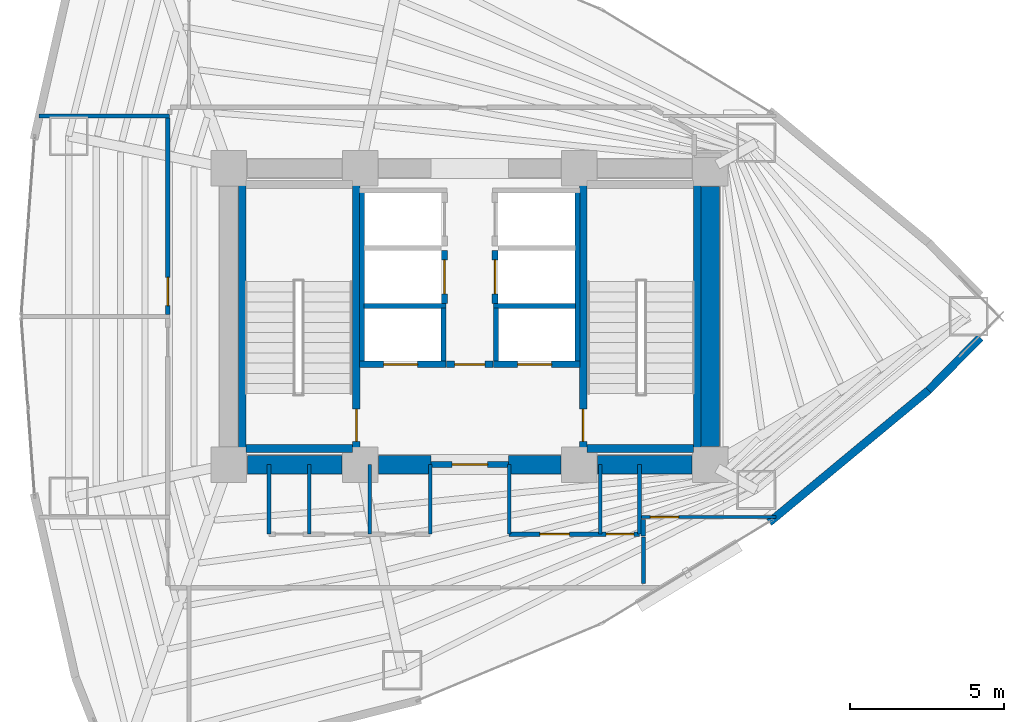
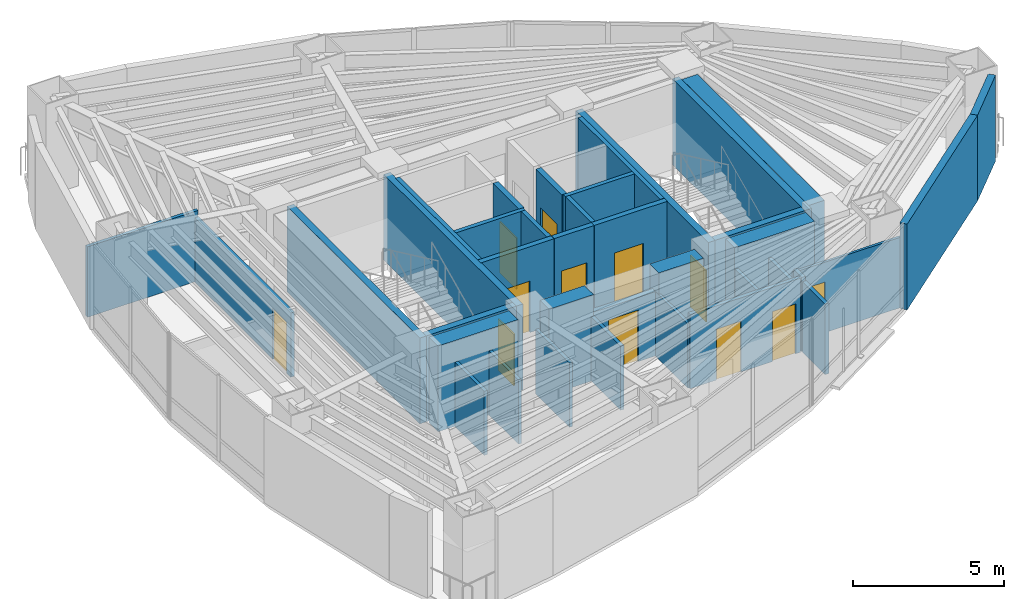
# One storey, part 13 of 16: 38 walls, 12 doors, 12 openings.
"""IFC4 building model written with IfcOpenShell, lengths in metres."""

from ifc_helpers import new_model, si_unit, direction, frame, frame_2d, origin, place, context, subcontext, project, spatial, rectangle, extrude, material, layer, layer_set, type_object, element, fill, save


model = new_model("IFC4")

# Units and contexts
model_context = context("Model", 3, precision=1e-05, world=origin(), true_north=direction((0.0, 1.0)))
body_context = subcontext(model_context, "Body", "Model", "MODEL_VIEW")
ifc_project = project(units=[si_unit("LENGTHUNIT", "METRE"), si_unit("AREAUNIT", "SQUARE_METRE"), si_unit("VOLUMEUNIT", "CUBIC_METRE"), si_unit("PLANEANGLEUNIT", "RADIAN"), si_unit("MASSUNIT", "GRAM", prefix="KILO")], contexts=[model_context])

# Site, building, storey
site_placement = place(None, origin())
site = spatial("IfcSite", under=ifc_project, at=site_placement, CompositionType="ELEMENT")
building_placement = place(site_placement, origin())
building = spatial("IfcBuilding", under=site, at=building_placement, Name="Menara Vayukalpa", CompositionType="ELEMENT")
storey_placement = place(building_placement, frame((0.0, 0.0, 75.9599609375)))
storey = spatial("IfcBuildingStorey", under=building, at=storey_placement, Name="L18", CompositionType="ELEMENT", Elevation=75.9599609375)

# Walls
ifc_material_1 = material(Name="Concrete C70/85", Category="concrete")
ifc_layer_1 = layer(ifc_material_1, 0.60009765625)
ifc_layer_set_1 = layer_set([ifc_layer_1], Name="Concrete C70/85")
wall_type_1 = type_object("IfcWallType", Name="WAL-CW600", PredefinedType="SHEAR", material=ifc_layer_set_1)
wall_1_placement = place(storey_placement, frame((18.39501953125, 17.199951171875, 0.0), z_axis=(0.0, 0.0, 1.0), x_axis=(1.0, 0.0, 0.0)))
element("IfcWall", 1, at=wall_1_placement, inside=storey, type_object=wall_type_1, Name="L18 Buttressed Core Shear Wall CWS1", PredefinedType="SHEAR", context=body_context, shape_type="SweptSolid", body=[
    extrude(rectangle(XDim=3.06005859375, YDim=0.60009765625, at=frame_2d((1.530029296875, 0.0))), origin(), (0.0, 0.0, 1.0), 3.469970703125),
])
wall_2_placement = place(storey_placement, frame((22.64501953125, 17.199951171875, 0.0), z_axis=(0.0, 0.0, 1.0), x_axis=(1.0, 0.0, 0.0)))
element("IfcWall", 2, at=wall_2_placement, inside=storey, type_object=wall_type_1, Name="L18 Buttressed Core Shear Wall CWS2", PredefinedType="SHEAR", context=body_context, shape_type="SweptSolid", body=[
    extrude(rectangle(XDim=1.705078125, YDim=0.60009765625, at=frame_2d((0.8525390625, 0.0))), origin(), (0.0, 0.0, 1.0), 3.469970703125),
])
wall_3_placement = place(storey_placement, frame((26.85009765625, 17.199951171875, 0.0), z_axis=(0.0, 0.0, 1.0), x_axis=(1.0, 0.0, 0.0)))
element("IfcWall", 3, at=wall_3_placement, inside=storey, type_object=wall_type_1, Name="L18 Buttressed Core Shear Wall CWS3", PredefinedType="SHEAR", context=body_context, shape_type="SweptSolid", body=[
    extrude(rectangle(XDim=1.704833984375, YDim=0.60009765625, at=frame_2d((0.8525390625, 0.0))), origin(), (0.0, 0.0, 1.0), 3.469970703125),
])
wall_4_placement = place(storey_placement, frame((29.7451171875, 17.199951171875, 0.0), z_axis=(0.0, 0.0, 1.0), x_axis=(1.0, 0.0, 0.0)))
element("IfcWall", 4, at=wall_4_placement, inside=storey, type_object=wall_type_1, Name="L18 Buttressed Core Shear Wall CWS4", PredefinedType="SHEAR", context=body_context, shape_type="SweptSolid", body=[
    extrude(rectangle(XDim=3.059814453125, YDim=0.60009765625, at=frame_2d((1.52978515625, 0.0))), origin(), (0.0, 0.0, 1.0), 3.469970703125),
])
wall_5_placement = place(storey_placement, frame((33.39990234375, 17.794921875, 0.0), z_axis=(0.0, 0.0, 1.0), x_axis=(0.0, 1.0, 0.0)))
element("IfcWall", 5, at=wall_5_placement, inside=storey, type_object=wall_type_1, Name="L18 Buttressed Core Shear Wall CWE1", PredefinedType="SHEAR", context=body_context, shape_type="SweptSolid", body=[
    extrude(rectangle(XDim=8.41015625, YDim=0.60009765625, at=frame_2d((4.205078125, 0.0))), origin(), (0.0, 0.0, 1.0), 3.469970703125),
])
ifc_material_2 = material(Name="Insulated Precast Concrete C40/50", Category="concrete")
ifc_layer_2 = layer(ifc_material_2, 0.260009765625)
ifc_layer_set_2 = layer_set([ifc_layer_2], Name="Insulated Precast Concrete C40/50")
wall_type_2 = type_object("IfcWallType", Name="WAL-EXT260", PredefinedType="PARTITIONING", material=ifc_layer_set_2)
wall_6_placement = place(storey_placement, frame((42.14111328125, 21.316650390625, 0.0), z_axis=(0.0, 0.0, 1.0), x_axis=(-0.700603293449, -0.713550996922, 0.0)))
element("IfcWall", 6, at=wall_6_placement, inside=storey, type_object=wall_type_2, Name="L18 Perimeter Terracotta Pier Wall 01", PredefinedType="PARTITIONING", context=body_context, shape_type="SweptSolid", body=[
    extrude(rectangle(XDim=2.394775390625, YDim=0.260009765625, at=frame_2d((1.197265625, 0.0))), origin(), (0.0, 0.0, 1.0), 3.469970703125),
])
wall_7_placement = place(storey_placement, frame((40.472412109375, 19.6162109375, 0.0), z_axis=(0.0, 0.0, 1.0), x_axis=(-0.76975316947, -0.638341646841, 0.0)))
element("IfcWall", 7, at=wall_7_placement, inside=storey, type_object=wall_type_2, Name="L18 Perimeter Terracotta Pier Wall 18", PredefinedType="PARTITIONING", context=body_context, shape_type="SweptSolid", body=[
    extrude(rectangle(XDim=6.718017578125, YDim=0.260009765625, at=frame_2d((3.35888671875, 0.0))), origin(), (0.0, 0.0, 1.0), 3.469970703125),
])
ifc_material_3 = material(Name="Lightweight Concrete Blockwork C16/20", Category="masonry")
ifc_layer_3 = layer(ifc_material_3, 0.159912109375)
ifc_layer_set_3 = layer_set([ifc_layer_3], Name="Lightweight Concrete Blockwork C16/20")
wall_type_3 = type_object("IfcWallType", Name="WAL-FR150", PredefinedType="PARTITIONING", material=ifc_layer_set_3)
wall_8_placement = place(storey_placement, frame((22.10498046875, 20.56005859375, 0.0), z_axis=(0.0, 0.0, 1.0), x_axis=(0.0, 1.0, 0.0)))
element("IfcWall", 8, at=wall_8_placement, inside=storey, type_object=wall_type_3, Name="L18 Interior Partition IW-L18-SHW-WW", PredefinedType="PARTITIONING", context=body_context, shape_type="SweptSolid", body=[
    extrude(rectangle(XDim=5.449951171875, YDim=0.159912109375, at=frame_2d((2.72509765625, 0.0))), origin(), (0.0, 0.0, 1.0), 3.469970703125),
])
wall_9_placement = place(storey_placement, frame((24.7548828125, 20.56005859375, 0.0), z_axis=(0.0, 0.0, 1.0), x_axis=(0.0, 1.0, 0.0)))
element("IfcWall", 9, at=wall_9_placement, inside=storey, type_object=wall_type_3, Name="L18 Interior Partition IW-L18-SHW-W1E", PredefinedType="PARTITIONING", context=body_context, shape_type="SweptSolid", body=[
    extrude(rectangle(XDim=1.7099609375, YDim=0.159912109375, at=frame_2d((0.85498046875, 0.0))), origin(), (0.0, 0.0, 1.0), 3.469970703125),
])
wall_10_placement = place(storey_placement, frame((22.179931640625, 22.344970703125, 0.0), z_axis=(0.0, 0.0, 1.0), x_axis=(1.0, 0.0, 0.0)))
element("IfcWall", 10, at=wall_10_placement, inside=storey, type_object=wall_type_3, Name="L18 Interior Partition IW-L18-SHM-W12", PredefinedType="PARTITIONING", context=body_context, shape_type="SweptSolid", body=[
    extrude(rectangle(XDim=2.650146484375, YDim=0.159912109375, at=frame_2d((1.3251953125, 0.0))), origin(), (0.0, 0.0, 1.0), 3.469970703125),
])
wall_11_placement = place(storey_placement, frame((29.094970703125, 20.56005859375, 0.0), z_axis=(0.0, 0.0, 1.0), x_axis=(0.0, 1.0, 0.0)))
element("IfcWall", 11, at=wall_11_placement, inside=storey, type_object=wall_type_3, Name="L18 Interior Partition IW-L18-SHW-EE", PredefinedType="PARTITIONING", context=body_context, shape_type="SweptSolid", body=[
    extrude(rectangle(XDim=5.449951171875, YDim=0.159912109375, at=frame_2d((2.72509765625, 0.0))), origin(), (0.0, 0.0, 1.0), 3.469970703125),
])
wall_12_placement = place(storey_placement, frame((26.445068359375, 20.56005859375, 0.0), z_axis=(0.0, 0.0, 1.0), x_axis=(0.0, 1.0, 0.0)))
element("IfcWall", 12, at=wall_12_placement, inside=storey, type_object=wall_type_3, Name="L18 Interior Partition IW-L18-SHW-E1W", PredefinedType="PARTITIONING", context=body_context, shape_type="SweptSolid", body=[
    extrude(rectangle(XDim=1.7099609375, YDim=0.159912109375, at=frame_2d((0.85498046875, 0.0))), origin(), (0.0, 0.0, 1.0), 3.469970703125),
])
wall_13_placement = place(storey_placement, frame((26.3701171875, 22.344970703125, 0.0), z_axis=(0.0, 0.0, 1.0), x_axis=(1.0, 0.0, 0.0)))
element("IfcWall", 13, at=wall_13_placement, inside=storey, type_object=wall_type_3, Name="L18 Interior Partition IW-L18-SHM-E13", PredefinedType="PARTITIONING", context=body_context, shape_type="SweptSolid", body=[
    extrude(rectangle(XDim=2.64990234375, YDim=0.159912109375, at=frame_2d((1.324951171875, 0.0))), origin(), (0.0, 0.0, 1.0), 3.469970703125),
])

# Wall, opening, door
ifc_material_4 = material(Name="Lightweight Concrete Blockwork C16/20", Category="masonry")
ifc_layer_4 = layer(ifc_material_4, 0.199951171875)
ifc_layer_set_4 = layer_set([ifc_layer_4], Name="Lightweight Concrete Blockwork C16/20")
wall_type_4 = type_object("IfcWallType", Name="WAL-FR200", PredefinedType="PARTITIONING", material=ifc_layer_set_4)
wall_14_placement = place(storey_placement, frame((24.35009765625, 17.199951171875, 0.0), z_axis=(0.0, 0.0, 1.0), x_axis=(1.0, 0.0, 0.0)))
wall_14 = element("IfcWall", 14, at=wall_14_placement, inside=storey, type_object=wall_type_4, Name="L18 Interior Partition IW-L18-FFLS", PredefinedType="PARTITIONING", context=body_context, shape_type="SweptSolid", body=[
    extrude(rectangle(XDim=2.5, YDim=0.199951171875, at=frame_2d((1.25, 0.0))), origin(), (0.0, 0.0, 1.0), 2.60009765625),
])
opening_1_placement = place(wall_14_placement, frame((0.679931640625, 0.0, 0.0)))
opening_1 = element("IfcOpeningElement", 15, at=opening_1_placement, cuts=wall_14, Name="Opening ID2", PredefinedType="OPENING", context=body_context, shape_type="SweptSolid", body=[
    extrude(rectangle(XDim=1.14990234375, YDim=2.080078125, at=frame_2d((0.574951171875, 1.0400390625))), frame((0.0, 0.10986328125, 0.0), z_axis=(0.0, -1.0, 0.0), x_axis=(1.0, 0.0, 0.0)), (0.0, 0.0, 1.0), 0.219970703125),
])
ifc_material_5 = material(Name="Fire-Rated Powder-Coated Steel Door", Category="steel")
door_type_1 = type_object("IfcDoorType", Name="DR-FD60W", OperationType="NOTDEFINED", PredefinedType="DOOR", material=ifc_material_5)
door_1_placement = place(opening_1_placement, origin())
door_1 = element("IfcDoor", 16, at=door_1_placement, inside=storey, type_object=door_type_1, Name="L18 Interior Door DR-L18-FFLS", OperationType="SINGLE_SWING_RIGHT", OverallHeight=2.080078125, OverallWidth=1.14990234375, PredefinedType="DOOR", context=body_context, shape_type="SweptSolid", body=[
    extrude(rectangle(XDim=1.14990234375, YDim=2.080078125, at=frame_2d((0.574951171875, 1.0400390625))), frame((0.0, 0.02490234375, 0.0), z_axis=(0.0, -1.0, 0.0), x_axis=(1.0, 0.0, 0.0)), (0.0, 0.0, 1.0), 0.050048828125),
])
fill(opening_1, door_1)

wall_15_placement = place(storey_placement, frame((24.840087890625, 20.449951171875, 0.0), z_axis=(0.0, 0.0, 1.0), x_axis=(1.0, 0.0, 0.0)))
wall_15 = element("IfcWall", 17, at=wall_15_placement, inside=storey, type_object=wall_type_4, Name="L18 Interior Partition IW-L18-FFLN", PredefinedType="PARTITIONING", context=body_context, shape_type="SweptSolid", body=[
    extrude(rectangle(XDim=1.52001953125, YDim=0.199951171875, at=frame_2d((0.760009765625, 0.0))), origin(), (0.0, 0.0, 1.0), 3.469970703125),
])
opening_2_placement = place(wall_15_placement, frame((0.27001953125, 0.0, 0.0)))
opening_2 = element("IfcOpeningElement", 18, at=opening_2_placement, cuts=wall_15, Name="Opening ID3", PredefinedType="OPENING", context=body_context, shape_type="SweptSolid", body=[
    extrude(rectangle(XDim=0.97998046875, YDim=2.06005859375, at=frame_2d((0.489990234375, 1.030029296875))), frame((0.0, 0.10986328125, 0.0), z_axis=(0.0, -1.0, 0.0), x_axis=(1.0, 0.0, 0.0)), (0.0, 0.0, 1.0), 0.219970703125),
])
ifc_material_6 = material(Name="Fire-Rated Powder-Coated Steel Door", Category="steel")
door_type_2 = type_object("IfcDoorType", Name="DR-FD60", OperationType="NOTDEFINED", PredefinedType="DOOR", material=ifc_material_6)
door_2_placement = place(opening_2_placement, origin())
door_2 = element("IfcDoor", 19, at=door_2_placement, inside=storey, type_object=door_type_2, Name="L18 Interior Door DR-L18-FFLN", OperationType="SINGLE_SWING_LEFT", OverallHeight=2.06005859375, OverallWidth=0.97998046875, PredefinedType="DOOR", context=body_context, shape_type="SweptSolid", body=[
    extrude(rectangle(XDim=0.97998046875, YDim=2.06005859375, at=frame_2d((0.489990234375, 1.030029296875))), frame((0.0, 0.02490234375, 0.0), z_axis=(0.0, -1.0, 0.0), x_axis=(1.0, 0.0, 0.0)), (0.0, 0.0, 1.0), 0.050048828125),
])
fill(opening_2, door_2)

wall_16_placement = place(storey_placement, frame((22.030029296875, 20.449951171875, 0.0), z_axis=(0.0, 0.0, 1.0), x_axis=(1.0, 0.0, 0.0)))
wall_16 = element("IfcWall", 20, at=wall_16_placement, inside=storey, type_object=wall_type_4, Name="L18 Interior Partition IW-L18-SH-W1", PredefinedType="PARTITIONING", context=body_context, shape_type="SweptSolid", body=[
    extrude(rectangle(XDim=2.800048828125, YDim=0.199951171875, at=frame_2d((1.39990234375, 0.0))), origin(), (0.0, 0.0, 1.0), 3.469970703125),
])
opening_3_placement = place(wall_16_placement, frame((0.780029296875, 0.0, 0.0)))
opening_3 = element("IfcOpeningElement", 21, at=opening_3_placement, cuts=wall_16, Name="Opening LD1", PredefinedType="OPENING", context=body_context, shape_type="SweptSolid", body=[
    extrude(rectangle(XDim=1.10009765625, YDim=2.080078125, at=frame_2d((0.550048828125, 1.0400390625))), frame((0.0, 0.10986328125, 0.0), z_axis=(0.0, -1.0, 0.0), x_axis=(1.0, 0.0, 0.0)), (0.0, 0.0, 1.0), 0.219970703125),
])
ifc_material_7 = material(Name="Brushed Stainless Steel 316 Lift Door", Category="steel")
door_type_3 = type_object("IfcDoorType", Name="DR-LD110", OperationType="NOTDEFINED", PredefinedType="DOOR", material=ifc_material_7)
door_3_placement = place(opening_3_placement, origin())
door_3 = element("IfcDoor", 22, at=door_3_placement, inside=storey, type_object=door_type_3, Name="L18 Interior Door DR-L18-LD-W1", OperationType="DOUBLE_DOOR_SLIDING", OverallHeight=2.080078125, OverallWidth=1.10009765625, PredefinedType="DOOR", context=body_context, shape_type="SweptSolid", body=[
    extrude(rectangle(XDim=1.10009765625, YDim=2.080078125, at=frame_2d((0.550048828125, 1.0400390625))), frame((0.0, 0.02490234375, 0.0), z_axis=(0.0, -1.0, 0.0), x_axis=(1.0, 0.0, 0.0)), (0.0, 0.0, 1.0), 0.050048828125),
])
fill(opening_3, door_3)

wall_17_placement = place(storey_placement, frame((26.3701171875, 20.449951171875, 0.0), z_axis=(0.0, 0.0, 1.0), x_axis=(1.0, 0.0, 0.0)))
wall_17 = element("IfcWall", 23, at=wall_17_placement, inside=storey, type_object=wall_type_4, Name="L18 Interior Partition IW-L18-SH-E1", PredefinedType="PARTITIONING", context=body_context, shape_type="SweptSolid", body=[
    extrude(rectangle(XDim=2.7998046875, YDim=0.199951171875, at=frame_2d((1.39990234375, 0.0))), origin(), (0.0, 0.0, 1.0), 3.469970703125),
])
opening_4_placement = place(wall_17_placement, frame((0.780029296875, 0.0, 0.0)))
opening_4 = element("IfcOpeningElement", 24, at=opening_4_placement, cuts=wall_17, Name="Opening LD1", PredefinedType="OPENING", context=body_context, shape_type="SweptSolid", body=[
    extrude(rectangle(XDim=1.10009765625, YDim=2.080078125, at=frame_2d((0.550048828125, 1.0400390625))), frame((0.0, 0.10986328125, 0.0), z_axis=(0.0, -1.0, 0.0), x_axis=(1.0, 0.0, 0.0)), (0.0, 0.0, 1.0), 0.219970703125),
])
door_4_placement = place(opening_4_placement, origin())
door_4 = element("IfcDoor", 25, at=door_4_placement, inside=storey, type_object=door_type_3, Name="L18 Interior Door DR-L18-LD-E1", OperationType="DOUBLE_DOOR_SLIDING", OverallHeight=2.080078125, OverallWidth=1.10009765625, PredefinedType="DOOR", context=body_context, shape_type="SweptSolid", body=[
    extrude(rectangle(XDim=1.10009765625, YDim=2.080078125, at=frame_2d((0.550048828125, 1.0400390625))), frame((0.0, 0.02490234375, 0.0), z_axis=(0.0, -1.0, 0.0), x_axis=(1.0, 0.0, 0.0)), (0.0, 0.0, 1.0), 0.050048828125),
])
fill(opening_4, door_4)

wall_18_placement = place(storey_placement, frame((24.780029296875, 22.419921875, 0.0), z_axis=(0.0, 0.0, 1.0), x_axis=(0.0, 1.0, 0.0)))
wall_18 = element("IfcWall", 26, at=wall_18_placement, inside=storey, type_object=wall_type_4, Name="L18 Interior Partition IW-L18-SH-W2", PredefinedType="PARTITIONING", context=body_context, shape_type="SweptSolid", body=[
    extrude(rectangle(XDim=1.719970703125, YDim=0.199951171875, at=frame_2d((0.85986328125, 0.0))), origin(), (0.0, 0.0, 1.0), 3.469970703125),
])
opening_5_placement = place(wall_18_placement, frame((0.31005859375, 0.0, 0.0)))
opening_5 = element("IfcOpeningElement", 27, at=opening_5_placement, cuts=wall_18, Name="Opening LD1", PredefinedType="OPENING", context=body_context, shape_type="SweptSolid", body=[
    extrude(rectangle(XDim=1.10009765625, YDim=2.080078125, at=frame_2d((0.550048828125, 1.0400390625))), frame((0.0, 0.10986328125, 0.0), z_axis=(0.0, -1.0, 0.0), x_axis=(1.0, 0.0, 0.0)), (0.0, 0.0, 1.0), 0.219970703125),
])
door_5_placement = place(opening_5_placement, origin())
door_5 = element("IfcDoor", 28, at=door_5_placement, inside=storey, type_object=door_type_3, Name="L18 Interior Door DR-L18-LD-W2", OperationType="DOUBLE_DOOR_SLIDING", OverallHeight=2.080078125, OverallWidth=1.10009765625, PredefinedType="DOOR", context=body_context, shape_type="SweptSolid", body=[
    extrude(rectangle(XDim=1.10009765625, YDim=2.080078125, at=frame_2d((0.550048828125, 1.0400390625))), frame((0.0, 0.02490234375, 0.0), z_axis=(0.0, -1.0, 0.0), x_axis=(1.0, 0.0, 0.0)), (0.0, 0.0, 1.0), 0.050048828125),
])
fill(opening_5, door_5)

wall_19_placement = place(storey_placement, frame((26.419921875, 22.419921875, 0.0), z_axis=(0.0, 0.0, 1.0), x_axis=(0.0, 1.0, 0.0)))
wall_19 = element("IfcWall", 29, at=wall_19_placement, inside=storey, type_object=wall_type_4, Name="L18 Interior Partition IW-L18-SH-E3", PredefinedType="PARTITIONING", context=body_context, shape_type="SweptSolid", body=[
    extrude(rectangle(XDim=1.719970703125, YDim=0.199951171875, at=frame_2d((0.85986328125, 0.0))), origin(), (0.0, 0.0, 1.0), 3.469970703125),
])
opening_6_placement = place(wall_19_placement, frame((0.31005859375, 0.0, 0.0)))
opening_6 = element("IfcOpeningElement", 30, at=opening_6_placement, cuts=wall_19, Name="Opening LD1", PredefinedType="OPENING", context=body_context, shape_type="SweptSolid", body=[
    extrude(rectangle(XDim=1.10009765625, YDim=2.080078125, at=frame_2d((0.550048828125, 1.0400390625))), frame((0.0, 0.10986328125, 0.0), z_axis=(0.0, -1.0, 0.0), x_axis=(1.0, 0.0, 0.0)), (0.0, 0.0, 1.0), 0.219970703125),
])
door_6_placement = place(opening_6_placement, origin())
door_6 = element("IfcDoor", 31, at=door_6_placement, inside=storey, type_object=door_type_3, Name="L18 Interior Door DR-L18-LD-E3", OperationType="DOUBLE_DOOR_SLIDING", OverallHeight=2.080078125, OverallWidth=1.10009765625, PredefinedType="DOOR", context=body_context, shape_type="SweptSolid", body=[
    extrude(rectangle(XDim=1.10009765625, YDim=2.080078125, at=frame_2d((0.550048828125, 1.0400390625))), frame((0.0, 0.02490234375, 0.0), z_axis=(0.0, -1.0, 0.0), x_axis=(1.0, 0.0, 0.0)), (0.0, 0.0, 1.0), 0.050048828125),
])
fill(opening_6, door_6)

ifc_material_8 = material(Name="Glazed Demountable Office Partition", Category="glass")
ifc_layer_5 = layer(ifc_material_8, 0.094970703125)
ifc_layer_set_5 = layer_set([ifc_layer_5], Name="Glazed Demountable Office Partition")
wall_type_5 = type_object("IfcWallType", Name="WAL-PT100", PredefinedType="PARTITIONING", material=ifc_layer_set_5)
wall_20_placement = place(storey_placement, frame((31.169921875, 15.5, 0.0), z_axis=(0.0, 0.0, 1.0), x_axis=(1.0, 0.0, 0.0)))
wall_20 = element("IfcWall", 32, at=wall_20_placement, inside=storey, type_object=wall_type_5, Name="L18 Interior Partition IW-L18-RDIV04", PredefinedType="PARTITIONING", context=body_context, shape_type="SweptSolid", body=[
    extrude(rectangle(XDim=4.3544921875, YDim=0.094970703125, at=frame_2d((2.17724609375, 0.0))), origin(), (0.0, 0.0, 1.0), 2.85009765625),
])
opening_7_placement = place(wall_20_placement, frame((0.280029296875, 0.0, 0.0)))
opening_7 = element("IfcOpeningElement", 33, at=opening_7_placement, cuts=wall_20, Name="Opening ID6", PredefinedType="OPENING", context=body_context, shape_type="SweptSolid", body=[
    extrude(rectangle(XDim=0.919921875, YDim=2.050048828125, at=frame_2d((0.4599609375, 1.02490234375))), frame((0.0, 0.057373046875, 0.0), z_axis=(0.0, -1.0, 0.0), x_axis=(1.0, 0.0, 0.0)), (0.0, 0.0, 1.0), 0.114990234375),
])
ifc_material_9 = material(Name="Acoustic Hardwood Veneer Timber Door", Category="wood")
door_type_4 = type_object("IfcDoorType", Name="DR-INT92", OperationType="NOTDEFINED", PredefinedType="DOOR", material=ifc_material_9)
door_7_placement = place(opening_7_placement, origin())
door_7 = element("IfcDoor", 34, at=door_7_placement, inside=storey, type_object=door_type_4, Name="L18 Interior Door DR-L18-STE05", OperationType="SINGLE_SWING_LEFT", OverallHeight=2.050048828125, OverallWidth=0.919921875, PredefinedType="DOOR", context=body_context, shape_type="SweptSolid", body=[
    extrude(rectangle(XDim=0.919921875, YDim=2.050048828125, at=frame_2d((0.4599609375, 1.02490234375))), frame((0.0, 0.02490234375, 0.0), z_axis=(0.0, -1.0, 0.0), x_axis=(1.0, 0.0, 0.0)), (0.0, 0.0, 1.0), 0.050048828125),
])
fill(opening_7, door_7)

# Walls
ifc_material_10 = material(Name="Acoustic Mineral Stud Partition", Category="masonry")
ifc_layer_6 = layer(ifc_material_10, 0.110107421875)
ifc_layer_set_6 = layer_set([ifc_layer_6], Name="Acoustic Mineral Stud Partition")
wall_type_6 = type_object("IfcWallType", Name="WAL-PT110", PredefinedType="PARTITIONING", material=ifc_layer_set_6)
for number, where, z_axis, x_axis, name in (
    (35, (20.39990234375, 14.949951171875, 0.0), (0.0, 0.0, 1.0), (0.0, 1.0, 0.0), "L18 Interior Partition IW-L18-SVCD-02"),
    (36, (26.8798828125, 14.949951171875, 0.0), (0.0, 0.0, 1.0), (0.0, 1.0, 0.0), "L18 Interior Partition IW-L18-SVCD-05"),
):
    element("IfcWall", number, at=place(storey_placement, frame(where, z_axis=z_axis, x_axis=x_axis)), inside=storey, type_object=wall_type_6, Name=name, PredefinedType="PARTITIONING", context=body_context, shape_type="SweptSolid", body=[
        extrude(rectangle(XDim=2.25, YDim=0.110107421875, at=frame_2d((1.125, 0.0))), origin(), (0.0, 0.0, 1.0), 2.60009765625),
    ])
ifc_material_11 = material(Name="Gypsum Drywall Steel Stud Assembly", Category="steel")
ifc_layer_7 = layer(ifc_material_11, 0.125)
ifc_layer_set_7 = layer_set([ifc_layer_7], Name="Gypsum Drywall Steel Stud Assembly")
wall_type_7 = type_object("IfcWallType", Name="WAL-PT125", PredefinedType="PARTITIONING", material=ifc_layer_set_7)
for number, where, z_axis, x_axis, name in (
    (37, (19.10009765625, 14.949951171875, 0.0), (0.0, 0.0, 1.0), (0.0, 1.0, 0.0), "L18 Interior Partition IW-L18-SVCD-01"),
    (38, (22.360107421875, 14.949951171875, 0.0), (0.0, 0.0, 1.0), (0.0, 1.0, 0.0), "L18 Interior Partition IW-L18-SVCD-03"),
    (39, (24.320068359375, 14.949951171875, 0.0), (0.0, 0.0, 1.0), (0.0, 1.0, 0.0), "L18 Interior Partition IW-L18-SVCD-04"),
    (40, (29.830078125, 14.949951171875, 0.0), (0.0, 0.0, 1.0), (0.0, 1.0, 0.0), "L18 Interior Partition IW-L18-SVCD-06"),
    (41, (31.10009765625, 14.949951171875, 0.0), (0.0, 0.0, 1.0), (0.0, 1.0, 0.0), "L18 Interior Partition IW-L18-SVCD-07"),
):
    element("IfcWall", number, at=place(storey_placement, frame(where, z_axis=z_axis, x_axis=x_axis)), inside=storey, type_object=wall_type_7, Name=name, PredefinedType="PARTITIONING", context=body_context, shape_type="SweptSolid", body=[
        extrude(rectangle(XDim=2.25, YDim=0.125, at=frame_2d((1.125, 0.0))), origin(), (0.0, 0.0, 1.0), 2.60009765625),
    ])
wall_21_placement = place(storey_placement, frame((11.6435546875, 28.5, 0.0), z_axis=(0.0, 0.0, 1.0), x_axis=(1.0, 0.0, 0.0)))
element("IfcWall", 42, at=wall_21_placement, inside=storey, type_object=wall_type_7, Name="L18 Interior Partition IW-L18-RDIV05", PredefinedType="PARTITIONING", context=body_context, shape_type="SweptSolid", body=[
    extrude(rectangle(XDim=4.2265625, YDim=0.125, at=frame_2d((2.11328125, 0.0))), origin(), (0.0, 0.0, 1.0), 2.85009765625),
])

# Wall, openings, doors
ifc_material_12 = material(Name="Gypsum Drywall Acoustic Stud Assembly", Category="masonry")
ifc_layer_8 = layer(ifc_material_12, 0.14501953125)
ifc_layer_set_8 = layer_set([ifc_layer_8], Name="Gypsum Drywall Acoustic Stud Assembly")
wall_type_8 = type_object("IfcWallType", Name="WAL-PT150", PredefinedType="PARTITIONING", material=ifc_layer_set_8)
wall_22_placement = place(storey_placement, frame((26.8798828125, 14.949951171875, 0.0), z_axis=(0.0, 0.0, 1.0), x_axis=(1.0, 0.0, 0.0)))
wall_22 = element("IfcWall", 43, at=wall_22_placement, inside=storey, type_object=wall_type_8, Name="L18 Interior Partition IW-L18-SVCS-E", PredefinedType="PARTITIONING", context=body_context, shape_type="SweptSolid", body=[
    extrude(rectangle(XDim=4.22021484375, YDim=0.14501953125, at=frame_2d((2.110107421875, 0.0))), origin(), (0.0, 0.0, 1.0), 3.0),
])
opening_8_placement = place(wall_22_placement, frame((0.9951171875, 0.0, 0.0)))
opening_8 = element("IfcOpeningElement", 44, at=opening_8_placement, cuts=wall_22, Name="Opening ID5", PredefinedType="OPENING", context=body_context, shape_type="SweptSolid", body=[
    extrude(rectangle(XDim=0.949951171875, YDim=2.06005859375, at=frame_2d((0.47509765625, 1.030029296875))), frame((0.0, 0.08251953125, 0.0), z_axis=(0.0, -1.0, 0.0), x_axis=(1.0, 0.0, 0.0)), (0.0, 0.0, 1.0), 0.1650390625),
])
opening_9_placement = place(wall_22_placement, frame((3.139892578125, 0.0, 0.0)))
opening_9 = element("IfcOpeningElement", 45, at=opening_9_placement, cuts=wall_22, Name="Opening ID7", PredefinedType="OPENING", context=body_context, shape_type="SweptSolid", body=[
    extrude(rectangle(XDim=0.89990234375, YDim=2.02001953125, at=frame_2d((0.449951171875, 1.010009765625))), frame((0.0, 0.08251953125, 0.0), z_axis=(0.0, -1.0, 0.0), x_axis=(1.0, 0.0, 0.0)), (0.0, 0.0, 1.0), 0.1650390625),
])
ifc_material_13 = material(Name="Acoustic Hardwood Veneer Timber Door", Category="wood")
door_type_5 = type_object("IfcDoorType", Name="DR-INT95", OperationType="NOTDEFINED", PredefinedType="DOOR", material=ifc_material_13)
door_8_placement = place(opening_8_placement, origin())
door_8 = element("IfcDoor", 46, at=door_8_placement, inside=storey, type_object=door_type_5, Name="L18 Interior Door DR-L18-KSV1", OperationType="SINGLE_SWING_LEFT", OverallHeight=2.06005859375, OverallWidth=0.949951171875, PredefinedType="DOOR", context=body_context, shape_type="SweptSolid", body=[
    extrude(rectangle(XDim=0.949951171875, YDim=2.06005859375, at=frame_2d((0.47509765625, 1.030029296875))), frame((0.0, 0.02490234375, 0.0), z_axis=(0.0, -1.0, 0.0), x_axis=(1.0, 0.0, 0.0)), (0.0, 0.0, 1.0), 0.050048828125),
])
fill(opening_8, door_8)
ifc_material_14 = material(Name="Powder-Coated Steel Riser Access Door", Category="steel")
door_type_6 = type_object("IfcDoorType", Name="DR-RISER", OperationType="NOTDEFINED", PredefinedType="DOOR", material=ifc_material_14)
door_9_placement = place(opening_9_placement, origin())
door_9 = element("IfcDoor", 47, at=door_9_placement, inside=storey, type_object=door_type_6, Name="L18 Interior Door DR-L18-SMD", OperationType="SINGLE_SWING_RIGHT", OverallHeight=2.02001953125, OverallWidth=0.89990234375, PredefinedType="DOOR", context=body_context, shape_type="SweptSolid", body=[
    extrude(rectangle(XDim=0.89990234375, YDim=2.02001953125, at=frame_2d((0.449951171875, 1.010009765625))), frame((0.0, 0.02490234375, 0.0), z_axis=(0.0, -1.0, 0.0), x_axis=(1.0, 0.0, 0.0)), (0.0, 0.0, 1.0), 0.050048828125),
])
fill(opening_9, door_9)

# Walls
wall_23_placement = place(storey_placement, frame((31.22998046875, 13.351318359375, 0.0), z_axis=(0.0, 0.0, 1.0), x_axis=(0.0, 1.0, 0.0)))
element("IfcWall", 48, at=wall_23_placement, inside=storey, type_object=wall_type_8, Name="L18 Interior Partition IW-L18-CRM04-2", PredefinedType="PARTITIONING", context=body_context, shape_type="SweptSolid", body=[
    extrude(rectangle(XDim=1.498779296875, YDim=0.14501953125, at=frame_2d((0.74951171875, 0.0))), origin(), (0.0, 0.0, 1.0), 2.85009765625),
])
wall_24_placement = place(storey_placement, frame((31.219970703125, 14.888671875, 0.0), z_axis=(0.0, 0.0, 1.0), x_axis=(0.0, 1.0, 0.0)))
element("IfcWall", 49, at=wall_24_placement, inside=storey, type_object=wall_type_8, Name="L18 Interior Partition IW-L18-CRM04-3", PredefinedType="PARTITIONING", context=body_context, shape_type="SweptSolid", body=[
    extrude(rectangle(XDim=0.541259765625, YDim=0.14501953125, at=frame_2d((0.2705078125, 0.0))), origin(), (0.0, 0.0, 1.0), 3.0),
])

# Wall, opening, door
wall_25_placement = place(storey_placement, frame((15.820068359375, 28.429931640625, 0.0), z_axis=(0.0, 0.0, 1.0), x_axis=(0.0, -1.0, 0.0)))
wall_25 = element("IfcWall", 50, at=wall_25_placement, inside=storey, type_object=wall_type_8, Name="L18 Interior Partition IW-L18-CRM08-1", PredefinedType="PARTITIONING", context=body_context, shape_type="SweptSolid", body=[
    extrude(rectangle(XDim=6.35986328125, YDim=0.14501953125, at=frame_2d((3.179931640625, 0.0))), origin(), (0.0, 0.0, 1.0), 2.60009765625),
])
opening_10_placement = place(wall_25_placement, frame((5.159912109375, 0.0, 0.0)))
opening_10 = element("IfcOpeningElement", 51, at=opening_10_placement, cuts=wall_25, Name="Opening ID6", PredefinedType="OPENING", context=body_context, shape_type="SweptSolid", body=[
    extrude(rectangle(XDim=0.919921875, YDim=2.050048828125, at=frame_2d((0.4599609375, 1.02490234375))), frame((0.0, 0.08251953125, 0.0), z_axis=(0.0, -1.0, 0.0), x_axis=(1.0, 0.0, 0.0)), (0.0, 0.0, 1.0), 0.1650390625),
])
door_10_placement = place(opening_10_placement, origin())
door_10 = element("IfcDoor", 52, at=door_10_placement, inside=storey, type_object=door_type_4, Name="L18 Interior Door DR-L18-RM08", OperationType="SINGLE_SWING_LEFT", OverallHeight=2.050048828125, OverallWidth=0.919921875, PredefinedType="DOOR", context=body_context, shape_type="SweptSolid", body=[
    extrude(rectangle(XDim=0.919921875, YDim=2.050048828125, at=frame_2d((0.4599609375, 1.02490234375))), frame((0.0, 0.02490234375, 0.0), z_axis=(0.0, -1.0, 0.0), x_axis=(1.0, 0.0, 0.0)), (0.0, 0.0, 1.0), 0.050048828125),
])
fill(opening_10, door_10)

# Wall
ifc_material_15 = material(Name="Concrete C50/60", Category="concrete")
ifc_layer_9 = layer(ifc_material_15, 0.25)
ifc_layer_set_9 = layer_set([ifc_layer_9], Name="Concrete C50/60")
wall_type_9 = type_object("IfcWallType", Name="WAL-SW250", PredefinedType="SHEAR", material=ifc_layer_set_9)
wall_26_placement = place(storey_placement, frame((18.22900390625, 17.60009765625, 0.0), z_axis=(0.0, 0.0, 1.0), x_axis=(0.0, 1.0, 0.0)))
element("IfcWall", 53, at=wall_26_placement, inside=storey, type_object=wall_type_9, Name="L18 ST1 Structural Stair Shaft Wall W", PredefinedType="SHEAR", context=body_context, shape_type="SweptSolid", body=[
    extrude(rectangle(XDim=8.7998046875, YDim=0.25, at=frame_2d((4.39990234375, 0.0))), origin(), (0.0, 0.0, 1.0), 3.469970703125),
])

# Wall, opening, door
wall_27_placement = place(storey_placement, frame((21.925048828125, 17.60009765625, 0.0), z_axis=(0.0, 0.0, 1.0), x_axis=(0.0, 1.0, 0.0)))
wall_27 = element("IfcWall", 54, at=wall_27_placement, inside=storey, type_object=wall_type_9, Name="L18 ST1 Structural Stair Shaft Wall E", PredefinedType="SHEAR", context=body_context, shape_type="SweptSolid", body=[
    extrude(rectangle(XDim=8.7998046875, YDim=0.25, at=frame_2d((4.39990234375, 0.0))), origin(), (0.0, 0.0, 1.0), 3.469970703125),
])
opening_11_placement = place(wall_27_placement, frame((0.35009765625, 0.0, 0.0)))
opening_11 = element("IfcOpeningElement", 55, at=opening_11_placement, cuts=wall_27, Name="Opening ID1", PredefinedType="OPENING", context=body_context, shape_type="SweptSolid", body=[
    extrude(rectangle(XDim=1.050048828125, YDim=2.080078125, at=frame_2d((0.52490234375, 1.0400390625))), frame((0.0, 0.135009765625, 0.0), z_axis=(0.0, -1.0, 0.0), x_axis=(1.0, 0.0, 0.0)), (0.0, 0.0, 1.0), 0.27001953125),
])
ifc_material_16 = material(Name="Fire-Rated Powder-Coated Steel Door", Category="steel")
door_type_7 = type_object("IfcDoorType", Name="DR-FD120", OperationType="NOTDEFINED", PredefinedType="DOOR", material=ifc_material_16)
door_11_placement = place(opening_11_placement, origin())
door_11 = element("IfcDoor", 56, at=door_11_placement, inside=storey, type_object=door_type_7, Name="L18 Stair Exit Door DR-L18-ST1", OperationType="SINGLE_SWING_LEFT", OverallHeight=2.080078125, OverallWidth=1.050048828125, PredefinedType="DOOR", context=body_context, shape_type="SweptSolid", body=[
    extrude(rectangle(XDim=1.050048828125, YDim=2.080078125, at=frame_2d((0.52490234375, 1.0400390625))), frame((0.0, 0.02490234375, 0.0), z_axis=(0.0, -1.0, 0.0), x_axis=(1.0, 0.0, 0.0)), (0.0, 0.0, 1.0), 0.050048828125),
])
fill(opening_11, door_11)

# Wall
wall_28_placement = place(storey_placement, frame((18.35400390625, 17.72509765625, 0.0), z_axis=(0.0, 0.0, 1.0), x_axis=(1.0, 0.0, 0.0)))
element("IfcWall", 57, at=wall_28_placement, inside=storey, type_object=wall_type_9, Name="L18 ST1 Structural Stair Shaft Wall S", PredefinedType="SHEAR", context=body_context, shape_type="SweptSolid", body=[
    extrude(rectangle(XDim=3.446044921875, YDim=0.25, at=frame_2d((1.72314453125, 0.0))), origin(), (0.0, 0.0, 1.0), 3.469970703125),
])

# Wall, opening, door
wall_29_placement = place(storey_placement, frame((29.27490234375, 17.60009765625, 0.0), z_axis=(0.0, 0.0, 1.0), x_axis=(0.0, 1.0, 0.0)))
wall_29 = element("IfcWall", 58, at=wall_29_placement, inside=storey, type_object=wall_type_9, Name="L18 ST2 Structural Stair Shaft Wall W", PredefinedType="SHEAR", context=body_context, shape_type="SweptSolid", body=[
    extrude(rectangle(XDim=8.7998046875, YDim=0.25, at=frame_2d((4.39990234375, 0.0))), origin(), (0.0, 0.0, 1.0), 3.469970703125),
])
opening_12_placement = place(wall_29_placement, frame((0.35009765625, 0.0, 0.0)))
opening_12 = element("IfcOpeningElement", 59, at=opening_12_placement, cuts=wall_29, Name="Opening ID1", PredefinedType="OPENING", context=body_context, shape_type="SweptSolid", body=[
    extrude(rectangle(XDim=1.050048828125, YDim=2.080078125, at=frame_2d((0.52490234375, 1.0400390625))), frame((0.0, 0.135009765625, 0.0), z_axis=(0.0, -1.0, 0.0), x_axis=(1.0, 0.0, 0.0)), (0.0, 0.0, 1.0), 0.27001953125),
])
door_12_placement = place(opening_12_placement, origin())
door_12 = element("IfcDoor", 60, at=door_12_placement, inside=storey, type_object=door_type_7, Name="L18 Stair Exit Door DR-L18-ST2", OperationType="SINGLE_SWING_RIGHT", OverallHeight=2.080078125, OverallWidth=1.050048828125, PredefinedType="DOOR", context=body_context, shape_type="SweptSolid", body=[
    extrude(rectangle(XDim=1.050048828125, YDim=2.080078125, at=frame_2d((0.52490234375, 1.0400390625))), frame((0.0, 0.02490234375, 0.0), z_axis=(0.0, -1.0, 0.0), x_axis=(1.0, 0.0, 0.0)), (0.0, 0.0, 1.0), 0.050048828125),
])
fill(opening_12, door_12)

# Walls
wall_30_placement = place(storey_placement, frame((32.970947265625, 17.60009765625, 0.0), z_axis=(0.0, 0.0, 1.0), x_axis=(0.0, 1.0, 0.0)))
element("IfcWall", 61, at=wall_30_placement, inside=storey, type_object=wall_type_9, Name="L18 ST2 Structural Stair Shaft Wall E", PredefinedType="SHEAR", context=body_context, shape_type="SweptSolid", body=[
    extrude(rectangle(XDim=8.7998046875, YDim=0.25, at=frame_2d((4.39990234375, 0.0))), origin(), (0.0, 0.0, 1.0), 3.469970703125),
])
wall_31_placement = place(storey_placement, frame((29.39990234375, 17.72509765625, 0.0), z_axis=(0.0, 0.0, 1.0), x_axis=(1.0, 0.0, 0.0)))
element("IfcWall", 62, at=wall_31_placement, inside=storey, type_object=wall_type_9, Name="L18 ST2 Structural Stair Shaft Wall S", PredefinedType="SHEAR", context=body_context, shape_type="SweptSolid", body=[
    extrude(rectangle(XDim=3.446044921875, YDim=0.25, at=frame_2d((1.72314453125, 0.0))), origin(), (0.0, 0.0, 1.0), 3.469970703125),
])

save(model, "model.ifc")
